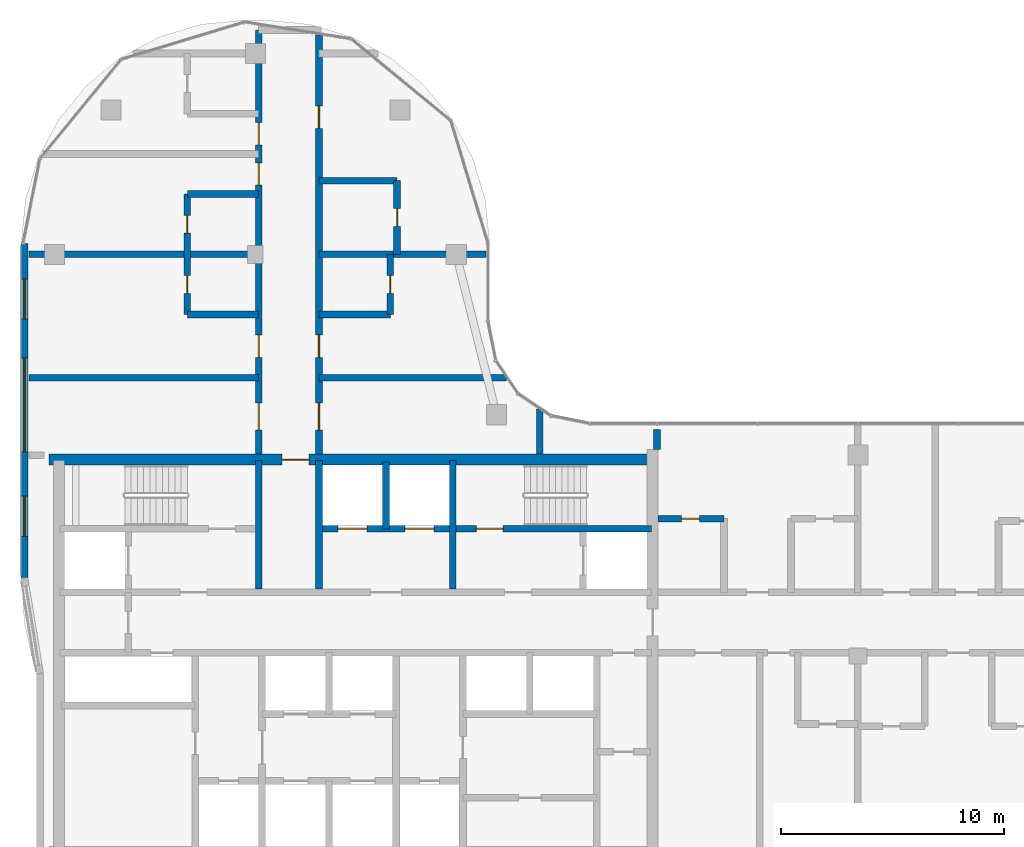
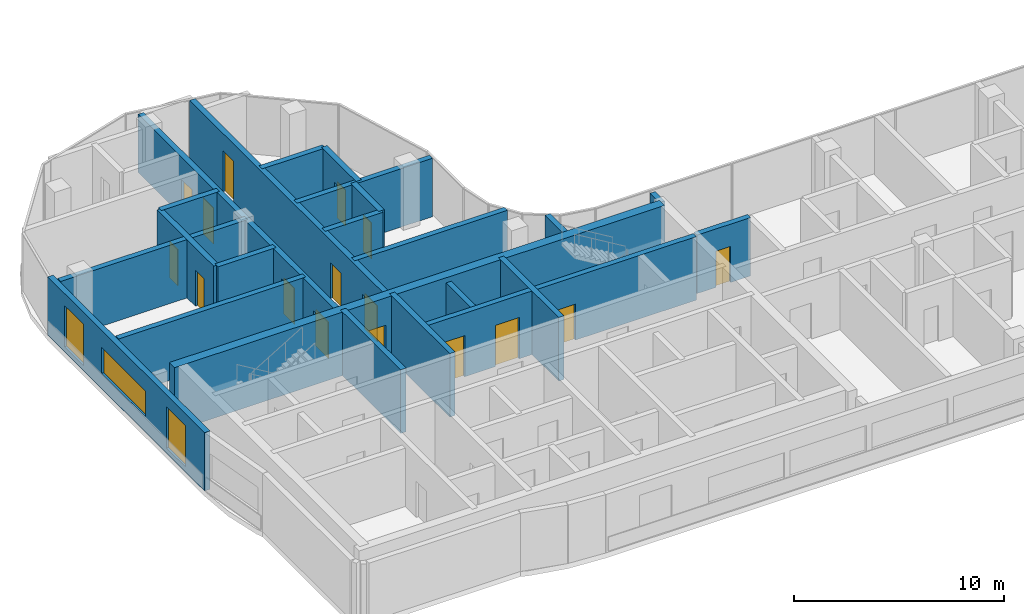
# One storey, part 10 of 19: 23 walls, 16 doors, 3 windows, 19 openings.
"""IFC4 building model written with IfcOpenShell, lengths in metres."""

from ifc_helpers import new_model, si_unit, direction, frame, frame_2d, origin, place, context, subcontext, project, spatial, rectangle, extrude, material, layer, layer_set, type_object, element, fill, save


model = new_model("IFC4")

# Units and contexts
model_context = context("Model", 3, precision=1e-05, world=origin(), true_north=direction((0.0, 1.0)))
body_context = subcontext(model_context, "Body", "Model", "MODEL_VIEW")
ifc_project = project(units=[si_unit("LENGTHUNIT", "METRE"), si_unit("AREAUNIT", "SQUARE_METRE"), si_unit("VOLUMEUNIT", "CUBIC_METRE"), si_unit("PLANEANGLEUNIT", "RADIAN"), si_unit("MASSUNIT", "GRAM", prefix="KILO")], contexts=[model_context])

# Site, building, storey
site_placement = place(None, origin())
site = spatial("IfcSite", under=ifc_project, at=site_placement, CompositionType="ELEMENT")
building_placement = place(site_placement, origin())
building = spatial("IfcBuilding", under=site, at=building_placement, Name="Ogive Portal Towers", CompositionType="ELEMENT")
storey_placement = place(building_placement, frame((0.0, 0.0, 229.10009765625)))
storey = spatial("IfcBuildingStorey", under=building, at=storey_placement, Name="L57", CompositionType="ELEMENT", Elevation=229.10009765625)

# Wall, openings, doors
ifc_material_1 = material(Name="Concrete C60/75", Category="concrete")
ifc_layer_1 = layer(ifc_material_1, 0.300048828125)
ifc_layer_set_1 = layer_set([ifc_layer_1], Name="CORE WALL 300 C60")
wall_type_1 = type_object("IfcWallType", Name="CORE WALL 300 C60", PredefinedType="SHEAR", material=ifc_layer_set_1)
wall_1_placement = place(storey_placement, frame((43.5, 36.199951171875, 0.0), z_axis=(0.0, 0.0, 1.0), x_axis=(1.0, 0.0, 0.0)))
wall_1 = element("IfcWall", 1, at=wall_1_placement, inside=storey, type_object=wall_type_1, Name="Core wall Y3b L57", PredefinedType="SHEAR", context=body_context, shape_type="SweptSolid", body=[
    extrude(rectangle(XDim=14.75, YDim=0.300048828125, at=frame_2d((7.375, 0.0))), origin(), (0.0, 0.0, 1.0), 3.699951171875),
])
opening_1_placement = place(wall_1_placement, frame((6.89990234375, 0.0, 0.0)))
opening_1 = element("IfcOpeningElement", 2, at=opening_1_placement, cuts=wall_1, Name="Opening D25-006", PredefinedType="OPENING", context=body_context, shape_type="SweptSolid", body=[
    extrude(rectangle(XDim=1.199951171875, YDim=2.10009765625, at=frame_2d((0.60009765625, 1.050048828125))), frame((0.0, 0.16015625, 0.0), z_axis=(0.0, -1.0, 0.0), x_axis=(1.0, 0.0, 0.0)), (0.0, 0.0, 1.0), 0.320068359375),
])
opening_2_placement = place(wall_1_placement, frame((0.699951171875, 0.0, 0.0)))
opening_2 = element("IfcOpeningElement", 3, at=opening_2_placement, cuts=wall_1, Name="Opening D25-017", PredefinedType="OPENING", context=body_context, shape_type="SweptSolid", body=[
    extrude(rectangle(XDim=1.300048828125, YDim=2.39990234375, at=frame_2d((0.64990234375, 1.199951171875))), frame((0.0, 0.16015625, 0.0), z_axis=(0.0, -1.0, 0.0), x_axis=(1.0, 0.0, 0.0)), (0.0, 0.0, 1.0), 0.320068359375),
])
opening_3_placement = place(wall_1_placement, frame((3.699951171875, 0.0, 0.0)))
opening_3 = element("IfcOpeningElement", 4, at=opening_3_placement, cuts=wall_1, Name="Opening D25-018", PredefinedType="OPENING", context=body_context, shape_type="SweptSolid", body=[
    extrude(rectangle(XDim=1.300048828125, YDim=2.39990234375, at=frame_2d((0.64990234375, 1.199951171875))), frame((0.0, 0.16015625, 0.0), z_axis=(0.0, -1.0, 0.0), x_axis=(1.0, 0.0, 0.0)), (0.0, 0.0, 1.0), 0.320068359375),
])
ifc_material_2 = material(Name="Stainless steel", Category="steel")
door_type_1 = type_object("IfcDoorType", Name="DT-LD-1300x2400", OperationType="SLIDING_TO_LEFT", PredefinedType="DOOR", material=ifc_material_2)
door_1_placement = place(opening_2_placement, origin())
door_1 = element("IfcDoor", 5, at=door_1_placement, inside=storey, type_object=door_type_1, Name="Door D25-017", OperationType="SLIDING_TO_LEFT", OverallHeight=2.39990234375, OverallWidth=1.300048828125, PredefinedType="DOOR", context=body_context, shape_type="SweptSolid", body=[
    extrude(rectangle(XDim=1.300048828125, YDim=2.39990234375, at=frame_2d((0.64990234375, 1.199951171875))), frame((0.0, 0.02490234375, 0.0), z_axis=(0.0, -1.0, 0.0), x_axis=(1.0, 0.0, 0.0)), (0.0, 0.0, 1.0), 0.050048828125),
])
fill(opening_2, door_1)
door_2_placement = place(opening_3_placement, origin())
door_2 = element("IfcDoor", 6, at=door_2_placement, inside=storey, type_object=door_type_1, Name="Door D25-018", OperationType="SLIDING_TO_LEFT", OverallHeight=2.39990234375, OverallWidth=1.300048828125, PredefinedType="DOOR", context=body_context, shape_type="SweptSolid", body=[
    extrude(rectangle(XDim=1.300048828125, YDim=2.39990234375, at=frame_2d((0.64990234375, 1.199951171875))), frame((0.0, 0.02490234375, 0.0), z_axis=(0.0, -1.0, 0.0), x_axis=(1.0, 0.0, 0.0)), (0.0, 0.0, 1.0), 0.050048828125),
])
fill(opening_3, door_2)
ifc_material_3 = material(Name="Steel fire door", Category="steel")
door_type_2 = type_object("IfcDoorType", Name="DT-SWING-1200x2100-FD90S", OperationType="SINGLE_SWING_LEFT", PredefinedType="DOOR", material=ifc_material_3)
door_3_placement = place(opening_1_placement, origin())
door_3 = element("IfcDoor", 7, at=door_3_placement, inside=storey, type_object=door_type_2, Name="Door D25-006", OperationType="SINGLE_SWING_LEFT", OverallHeight=2.10009765625, OverallWidth=1.199951171875, PredefinedType="DOOR", context=body_context, shape_type="SweptSolid", body=[
    extrude(rectangle(XDim=1.199951171875, YDim=2.10009765625, at=frame_2d((0.60009765625, 1.050048828125))), frame((0.0, 0.02490234375, 0.0), z_axis=(0.0, -1.0, 0.0), x_axis=(1.0, 0.0, 0.0)), (0.0, 0.0, 1.0), 0.050048828125),
])
fill(opening_1, door_3)

# Walls
for number, where, z_axis, x_axis, name in (
    (8, (40.64990234375, 33.5, 0.0), (0.0, 0.0, 1.0), (0.0, 1.0, 0.0), "Core wall X6 L57"),
    (9, (43.35009765625, 33.5, 0.0), (0.0, 0.0, 1.0), (0.0, 1.0, 0.0), "Core wall X7 L57"),
    (10, (49.35009765625, 33.5, 0.0), (0.0, 0.0, 1.0), (0.0, 1.0, 0.0), "Core wall X9 L57"),
):
    element("IfcWall", number, at=place(storey_placement, frame(where, z_axis=z_axis, x_axis=x_axis)), inside=storey, type_object=wall_type_1, Name=name, PredefinedType="SHEAR", context=body_context, shape_type="SweptSolid", body=[
        extrude(rectangle(XDim=5.75, YDim=0.300048828125, at=frame_2d((2.875, 0.0))), origin(), (0.0, 0.0, 1.0), 3.699951171875),
    ])

# Wall, opening, door
ifc_layer_2 = layer(ifc_material_1, 0.5)
ifc_layer_set_2 = layer_set([ifc_layer_2], Name="CORE WALL 500 C60")
wall_type_2 = type_object("IfcWallType", Name="CORE WALL 500 C60", PredefinedType="SHEAR", material=ifc_layer_set_2)
wall_2_placement = place(storey_placement, frame((31.25, 39.300048828125, 0.0), z_axis=(0.0, 0.0, 1.0), x_axis=(1.0, 0.0, 0.0)))
wall_2 = element("IfcWall", 11, at=wall_2_placement, inside=storey, type_object=wall_type_2, Name="Core wall N L57", PredefinedType="SHEAR", context=body_context, shape_type="SweptSolid", body=[
    extrude(rectangle(XDim=27.0, YDim=0.5, at=frame_2d((13.5, 0.0))), origin(), (0.0, 0.0, 1.0), 3.699951171875),
])
opening_4_placement = place(wall_2_placement, frame((10.449951171875, 0.0, 0.0)))
opening_4 = element("IfcOpeningElement", 12, at=opening_4_placement, cuts=wall_2, Name="Opening D25-012", PredefinedType="OPENING", context=body_context, shape_type="SweptSolid", body=[
    extrude(rectangle(XDim=1.199951171875, YDim=2.10009765625, at=frame_2d((0.60009765625, 1.050048828125))), frame((0.0, 0.260009765625, 0.0), z_axis=(0.0, -1.0, 0.0), x_axis=(1.0, 0.0, 0.0)), (0.0, 0.0, 1.0), 0.52001953125),
])
door_4_placement = place(opening_4_placement, origin())
door_4 = element("IfcDoor", 13, at=door_4_placement, inside=storey, type_object=door_type_2, Name="Door D25-012", OperationType="SINGLE_SWING_RIGHT", OverallHeight=2.10009765625, OverallWidth=1.199951171875, PredefinedType="DOOR", context=body_context, shape_type="SweptSolid", body=[
    extrude(rectangle(XDim=1.199951171875, YDim=2.10009765625, at=frame_2d((0.60009765625, 1.050048828125))), frame((0.0, 0.02490234375, 0.0), z_axis=(0.0, -1.0, 0.0), x_axis=(1.0, 0.0, 0.0)), (0.0, 0.0, 1.0), 0.050048828125),
])
fill(opening_4, door_4)

# Wall, openings, windows
ifc_material_4 = material(Name="Limestone cladding on lightweight block wall", Category="masonry")
ifc_layer_3 = layer(ifc_material_4, 0.300048828125)
ifc_layer_set_3 = layer_set([ifc_layer_3], Name="EXTERNAL WALL 300 STONE")
wall_type_3 = type_object("IfcWallType", Name="EXTERNAL WALL 300 STONE", PredefinedType="SOLIDWALL", material=ifc_layer_set_3)
wall_3_placement = place(storey_placement, frame((30.14990234375, 48.9921875, 0.0), z_axis=(0.0, 0.0, 1.0), x_axis=(0.0, -1.0, 0.0)))
wall_3 = element("IfcWall", 14, at=wall_3_placement, inside=storey, type_object=wall_type_3, Name="A:L57:f24:r0:wall", PredefinedType="SOLIDWALL", context=body_context, shape_type="SweptSolid", body=[
    extrude(rectangle(XDim=14.968017578125, YDim=0.300048828125, at=frame_2d((7.48388671875, 0.0))), origin(), (0.0, 0.0, 1.0), 3.39990234375),
])
opening_5_placement = place(wall_3_placement, frame((1.595947265625, 0.0, 0.300048828125)))
opening_5 = element("IfcOpeningElement", 15, at=opening_5_placement, cuts=wall_3, Name="Opening WN10", PredefinedType="OPENING", context=body_context, shape_type="SweptSolid", body=[
    extrude(rectangle(XDim=1.800048828125, YDim=2.39990234375, at=frame_2d((0.89990234375, 1.199951171875))), frame((0.0, 0.16015625, 0.0), z_axis=(0.0, -1.0, 0.0), x_axis=(1.0, 0.0, 0.0)), (0.0, 0.0, 1.0), 0.320068359375),
])
opening_6_placement = place(wall_3_placement, frame((5.14208984375, 0.0, 0.89990234375)))
opening_6 = element("IfcOpeningElement", 16, at=opening_6_placement, cuts=wall_3, Name="Opening WN11", PredefinedType="OPENING", context=body_context, shape_type="SweptSolid", body=[
    extrude(rectangle(XDim=4.199951171875, YDim=1.5, at=frame_2d((2.10009765625, 0.75))), frame((0.0, 0.16015625, 0.0), z_axis=(0.0, -1.0, 0.0), x_axis=(1.0, 0.0, 0.0)), (0.0, 0.0, 1.0), 0.320068359375),
])
opening_7_placement = place(wall_3_placement, frame((11.330078125, 0.0, 0.300048828125)))
opening_7 = element("IfcOpeningElement", 17, at=opening_7_placement, cuts=wall_3, Name="Opening WN10", PredefinedType="OPENING", context=body_context, shape_type="SweptSolid", body=[
    extrude(rectangle(XDim=1.800048828125, YDim=2.39990234375, at=frame_2d((0.89990234375, 1.199951171875))), frame((0.0, 0.16015625, 0.0), z_axis=(0.0, -1.0, 0.0), x_axis=(1.0, 0.0, 0.0)), (0.0, 0.0, 1.0), 0.320068359375),
])
ifc_material_5 = material(Name="Glass, clear low-iron insulated glazing", Category="glass")
window_type_1 = type_object("IfcWindowType", Name="WINDOW RIBBON 4200x1500", PartitioningType="TRIPLE_PANEL_VERTICAL", PredefinedType="WINDOW", material=ifc_material_5)
window_1_placement = place(opening_6_placement, origin())
window_1 = element("IfcWindow", 18, at=window_1_placement, inside=storey, type_object=window_type_1, Name="A:L57:f24:r0:w1", OverallHeight=1.5, OverallWidth=4.199951171875, PartitioningType="SINGLE_PANEL", PredefinedType="WINDOW", context=body_context, shape_type="SweptSolid", body=[
    extrude(rectangle(XDim=4.199951171875, YDim=1.5, at=frame_2d((2.10009765625, 0.75))), frame((0.0, 0.030029296875, 0.0), z_axis=(0.0, -1.0, 0.0), x_axis=(1.0, 0.0, 0.0)), (0.0, 0.0, 1.0), 0.06005859375),
])
fill(opening_6, window_1)
window_type_2 = type_object("IfcWindowType", Name="WINDOW SUITE CORNER 1800x2400", PartitioningType="DOUBLE_PANEL_VERTICAL", PredefinedType="WINDOW", material=ifc_material_5)
window_2_placement = place(opening_5_placement, origin())
window_2 = element("IfcWindow", 19, at=window_2_placement, inside=storey, type_object=window_type_2, Name="A:L57:f24:r0:w0", OverallHeight=2.39990234375, OverallWidth=1.800048828125, PartitioningType="SINGLE_PANEL", PredefinedType="WINDOW", context=body_context, shape_type="SweptSolid", body=[
    extrude(rectangle(XDim=1.800048828125, YDim=2.39990234375, at=frame_2d((0.89990234375, 1.199951171875))), frame((0.0, 0.030029296875, 0.0), z_axis=(0.0, -1.0, 0.0), x_axis=(1.0, 0.0, 0.0)), (0.0, 0.0, 1.0), 0.06005859375),
])
fill(opening_5, window_2)
window_3_placement = place(opening_7_placement, origin())
window_3 = element("IfcWindow", 20, at=window_3_placement, inside=storey, type_object=window_type_2, Name="A:L57:f24:r0:w2", OverallHeight=2.39990234375, OverallWidth=1.800048828125, PartitioningType="SINGLE_PANEL", PredefinedType="WINDOW", context=body_context, shape_type="SweptSolid", body=[
    extrude(rectangle(XDim=1.800048828125, YDim=2.39990234375, at=frame_2d((0.89990234375, 1.199951171875))), frame((0.0, 0.030029296875, 0.0), z_axis=(0.0, -1.0, 0.0), x_axis=(1.0, 0.0, 0.0)), (0.0, 0.0, 1.0), 0.06005859375),
])
fill(opening_7, window_3)

# Wall, opening, door
ifc_material_6 = material(Name="Gypsum board partition on steel studs", Category="steel")
ifc_layer_4 = layer(ifc_material_6, 0.300048828125)
ifc_layer_set_4 = layer_set([ifc_layer_4], Name="WT-PART-300-EI 60")
wall_type_4 = type_object("IfcWallType", Name="WT-PART-300-EI 60", PredefinedType="PARTITIONING", material=ifc_layer_set_4)
wall_4_placement = place(storey_placement, frame((58.550048828125, 36.64990234375, 0.0), z_axis=(0.0, 0.0, 1.0), x_axis=(1.0, 0.0, 0.0)))
wall_4 = element("IfcWall", 21, at=wall_4_placement, inside=storey, type_object=wall_type_4, Name="Wall L57:w011", PredefinedType="PARTITIONING", context=body_context, shape_type="SweptSolid", body=[
    extrude(rectangle(XDim=2.949951171875, YDim=0.300048828125, at=frame_2d((1.47509765625, 0.0))), origin(), (0.0, 0.0, 1.0), 3.39990234375),
])
opening_8_placement = place(wall_4_placement, frame((1.050048828125, 0.0, 0.0)))
opening_8 = element("IfcOpeningElement", 22, at=opening_8_placement, cuts=wall_4, Name="Opening D25-026", PredefinedType="OPENING", context=body_context, shape_type="SweptSolid", body=[
    extrude(rectangle(XDim=0.800048828125, YDim=2.10009765625, at=frame_2d((0.39990234375, 1.050048828125))), frame((0.0, 0.16015625, 0.0), z_axis=(0.0, -1.0, 0.0), x_axis=(1.0, 0.0, 0.0)), (0.0, 0.0, 1.0), 0.320068359375),
])
door_type_3 = type_object("IfcDoorType", Name="DT-BATH-800x2100-FD60S", OperationType="SINGLE_SWING_LEFT", PredefinedType="DOOR", material=ifc_material_3)
door_5_placement = place(opening_8_placement, origin())
door_5 = element("IfcDoor", 23, at=door_5_placement, inside=storey, type_object=door_type_3, Name="Door D25-026", OperationType="SINGLE_SWING_LEFT", OverallHeight=2.10009765625, OverallWidth=0.800048828125, PredefinedType="DOOR", context=body_context, shape_type="SweptSolid", body=[
    extrude(rectangle(XDim=0.800048828125, YDim=2.10009765625, at=frame_2d((0.39990234375, 1.050048828125))), frame((0.0, 0.02490234375, 0.0), z_axis=(0.0, -1.0, 0.0), x_axis=(1.0, 0.0, 0.0)), (0.0, 0.0, 1.0), 0.050048828125),
])
fill(opening_8, door_5)

# Walls
wall_5_placement = place(storey_placement, frame((30.35009765625, 42.969970703125, 0.0), z_axis=(0.0, 0.0, 1.0), x_axis=(1.0, 0.0, 0.0)))
element("IfcWall", 24, at=wall_5_placement, inside=storey, type_object=wall_type_4, Name="Wall L57:w015", PredefinedType="PARTITIONING", context=body_context, shape_type="SweptSolid", body=[
    extrude(rectangle(XDim=10.2998046875, YDim=0.300048828125, at=frame_2d((5.14990234375, 0.0))), origin(), (0.0, 0.0, 1.0), 3.39990234375),
])
wall_6_placement = place(storey_placement, frame((43.35009765625, 42.969970703125, 0.0), z_axis=(0.0, 0.0, 1.0), x_axis=(1.0, 0.0, 0.0)))
element("IfcWall", 25, at=wall_6_placement, inside=storey, type_object=wall_type_4, Name="Wall L57:w016", PredefinedType="PARTITIONING", context=body_context, shape_type="SweptSolid", body=[
    extrude(rectangle(XDim=8.40185546875, YDim=0.300048828125, at=frame_2d((4.200927734375, 0.0))), origin(), (0.0, 0.0, 1.0), 3.39990234375),
])
for number, where, z_axis, x_axis, name in (
    (26, (37.449951171875, 45.800048828125, 0.0), (0.0, 0.0, 1.0), (1.0, 0.0, 0.0), "Wall L57:w017"),
    (27, (43.35009765625, 45.800048828125, 0.0), (0.0, 0.0, 1.0), (1.0, 0.0, 0.0), "Wall L57:w018"),
):
    element("IfcWall", number, at=place(storey_placement, frame(where, z_axis=z_axis, x_axis=x_axis)), inside=storey, type_object=wall_type_4, Name=name, PredefinedType="PARTITIONING", context=body_context, shape_type="SweptSolid", body=[
        extrude(rectangle(XDim=3.199951171875, YDim=0.300048828125, at=frame_2d((1.60009765625, 0.0))), origin(), (0.0, 0.0, 1.0), 3.39990234375),
    ])
wall_7_placement = place(storey_placement, frame((30.35009765625, 48.5, 0.0), z_axis=(0.0, 0.0, 1.0), x_axis=(1.0, 0.0, 0.0)))
element("IfcWall", 28, at=wall_7_placement, inside=storey, type_object=wall_type_4, Name="Wall L57:w019", PredefinedType="PARTITIONING", context=body_context, shape_type="SweptSolid", body=[
    extrude(rectangle(XDim=10.2998046875, YDim=0.300048828125, at=frame_2d((5.14990234375, 0.0))), origin(), (0.0, 0.0, 1.0), 3.39990234375),
])
wall_8_placement = place(storey_placement, frame((43.35009765625, 48.5, 0.0), z_axis=(0.0, 0.0, 1.0), x_axis=(1.0, 0.0, 0.0)))
element("IfcWall", 29, at=wall_8_placement, inside=storey, type_object=wall_type_4, Name="Wall L57:w020", PredefinedType="PARTITIONING", context=body_context, shape_type="SweptSolid", body=[
    extrude(rectangle(XDim=7.47998046875, YDim=0.300048828125, at=frame_2d((3.739990234375, 0.0))), origin(), (0.0, 0.0, 1.0), 3.39990234375),
])
wall_9_placement = place(storey_placement, frame((37.449951171875, 51.199951171875, 0.0), z_axis=(0.0, 0.0, 1.0), x_axis=(1.0, 0.0, 0.0)))
element("IfcWall", 30, at=wall_9_placement, inside=storey, type_object=wall_type_4, Name="Wall L57:w021", PredefinedType="PARTITIONING", context=body_context, shape_type="SweptSolid", body=[
    extrude(rectangle(XDim=3.199951171875, YDim=0.300048828125, at=frame_2d((1.60009765625, 0.0))), origin(), (0.0, 0.0, 1.0), 3.39990234375),
])
wall_10_placement = place(storey_placement, frame((43.35009765625, 51.800048828125, 0.0), z_axis=(0.0, 0.0, 1.0), x_axis=(1.0, 0.0, 0.0)))
element("IfcWall", 31, at=wall_10_placement, inside=storey, type_object=wall_type_4, Name="Wall L57:w022", PredefinedType="PARTITIONING", context=body_context, shape_type="SweptSolid", body=[
    extrude(rectangle(XDim=3.5, YDim=0.300048828125, at=frame_2d((1.75, 0.0))), origin(), (0.0, 0.0, 1.0), 3.39990234375),
])

# Wall, openings, doors
wall_11_placement = place(storey_placement, frame((37.449951171875, 45.800048828125, 0.0), z_axis=(0.0, 0.0, 1.0), x_axis=(0.0, 1.0, 0.0)))
wall_11 = element("IfcWall", 32, at=wall_11_placement, inside=storey, type_object=wall_type_4, Name="Wall L57:w028", PredefinedType="PARTITIONING", context=body_context, shape_type="SweptSolid", body=[
    extrude(rectangle(XDim=5.39990234375, YDim=0.300048828125, at=frame_2d((2.699951171875, 0.0))), origin(), (0.0, 0.0, 1.0), 3.39990234375),
])
opening_9_placement = place(wall_11_placement, frame((0.949951171875, 0.0, 0.0)))
opening_9 = element("IfcOpeningElement", 33, at=opening_9_placement, cuts=wall_11, Name="Opening D25-047", PredefinedType="OPENING", context=body_context, shape_type="SweptSolid", body=[
    extrude(rectangle(XDim=0.800048828125, YDim=2.10009765625, at=frame_2d((0.39990234375, 1.050048828125))), frame((0.0, 0.16015625, 0.0), z_axis=(0.0, -1.0, 0.0), x_axis=(1.0, 0.0, 0.0)), (0.0, 0.0, 1.0), 0.320068359375),
])
opening_10_placement = place(wall_11_placement, frame((3.64990234375, 0.0, 0.0)))
opening_10 = element("IfcOpeningElement", 34, at=opening_10_placement, cuts=wall_11, Name="Opening D25-051", PredefinedType="OPENING", context=body_context, shape_type="SweptSolid", body=[
    extrude(rectangle(XDim=0.800048828125, YDim=2.10009765625, at=frame_2d((0.39990234375, 1.050048828125))), frame((0.0, 0.16015625, 0.0), z_axis=(0.0, -1.0, 0.0), x_axis=(1.0, 0.0, 0.0)), (0.0, 0.0, 1.0), 0.320068359375),
])
door_6_placement = place(opening_9_placement, origin())
door_6 = element("IfcDoor", 35, at=door_6_placement, inside=storey, type_object=door_type_3, Name="Door D25-047", OperationType="SINGLE_SWING_LEFT", OverallHeight=2.10009765625, OverallWidth=0.800048828125, PredefinedType="DOOR", context=body_context, shape_type="SweptSolid", body=[
    extrude(rectangle(XDim=0.800048828125, YDim=2.10009765625, at=frame_2d((0.39990234375, 1.050048828125))), frame((0.0, 0.02490234375, 0.0), z_axis=(0.0, -1.0, 0.0), x_axis=(1.0, 0.0, 0.0)), (0.0, 0.0, 1.0), 0.050048828125),
])
fill(opening_9, door_6)
door_7_placement = place(opening_10_placement, origin())
door_7 = element("IfcDoor", 36, at=door_7_placement, inside=storey, type_object=door_type_3, Name="Door D25-051", OperationType="SINGLE_SWING_RIGHT", OverallHeight=2.10009765625, OverallWidth=0.800048828125, PredefinedType="DOOR", context=body_context, shape_type="SweptSolid", body=[
    extrude(rectangle(XDim=0.800048828125, YDim=2.10009765625, at=frame_2d((0.39990234375, 1.050048828125))), frame((0.0, 0.02490234375, 0.0), z_axis=(0.0, -1.0, 0.0), x_axis=(1.0, 0.0, 0.0)), (0.0, 0.0, 1.0), 0.050048828125),
])
fill(opening_10, door_7)

wall_12_placement = place(storey_placement, frame((40.64990234375, 39.550048828125, 0.0), z_axis=(0.0, 0.0, 1.0), x_axis=(0.0, 1.0, 0.0)))
wall_12 = element("IfcWall", 37, at=wall_12_placement, inside=storey, type_object=wall_type_4, Name="Wall L57:w030", PredefinedType="PARTITIONING", context=body_context, shape_type="SweptSolid", body=[
    extrude(rectangle(XDim=19.0, YDim=0.300048828125, at=frame_2d((9.5, 0.0))), origin(), (0.0, 0.0, 1.0), 3.39990234375),
])
opening_11_placement = place(wall_12_placement, frame((1.0849609375, 0.0, 0.0)))
opening_11 = element("IfcOpeningElement", 38, at=opening_11_placement, cuts=wall_12, Name="Opening D25-046", PredefinedType="OPENING", context=body_context, shape_type="SweptSolid", body=[
    extrude(rectangle(XDim=1.199951171875, YDim=2.10009765625, at=frame_2d((0.60009765625, 1.050048828125))), frame((0.0, 0.16015625, 0.0), z_axis=(0.0, -1.0, 0.0), x_axis=(1.0, 0.0, 0.0)), (0.0, 0.0, 1.0), 0.320068359375),
])
opening_12_placement = place(wall_12_placement, frame((4.3349609375, 0.0, 0.0)))
opening_12 = element("IfcOpeningElement", 39, at=opening_12_placement, cuts=wall_12, Name="Opening D25-048", PredefinedType="OPENING", context=body_context, shape_type="SweptSolid", body=[
    extrude(rectangle(XDim=1.0, YDim=2.10009765625, at=frame_2d((0.5, 1.050048828125))), frame((0.0, 0.16015625, 0.0), z_axis=(0.0, -1.0, 0.0), x_axis=(1.0, 0.0, 0.0)), (0.0, 0.0, 1.0), 0.320068359375),
])
opening_13_placement = place(wall_12_placement, frame((12.050048828125, 0.0, 0.0)))
opening_13 = element("IfcOpeningElement", 40, at=opening_13_placement, cuts=wall_12, Name="Opening D25-052", PredefinedType="OPENING", context=body_context, shape_type="SweptSolid", body=[
    extrude(rectangle(XDim=1.0, YDim=2.10009765625, at=frame_2d((0.5, 1.050048828125))), frame((0.0, 0.16015625, 0.0), z_axis=(0.0, -1.0, 0.0), x_axis=(1.0, 0.0, 0.0)), (0.0, 0.0, 1.0), 0.320068359375),
])
opening_14_placement = place(wall_12_placement, frame((13.85009765625, 0.0, 0.0)))
opening_14 = element("IfcOpeningElement", 41, at=opening_14_placement, cuts=wall_12, Name="Opening D25-054", PredefinedType="OPENING", context=body_context, shape_type="SweptSolid", body=[
    extrude(rectangle(XDim=1.0, YDim=2.10009765625, at=frame_2d((0.5, 1.050048828125))), frame((0.0, 0.16015625, 0.0), z_axis=(0.0, -1.0, 0.0), x_axis=(1.0, 0.0, 0.0)), (0.0, 0.0, 1.0), 0.320068359375),
])
door_type_4 = type_object("IfcDoorType", Name="DT-ENTRY-1000x2100-FD60S", OperationType="SINGLE_SWING_LEFT", PredefinedType="DOOR", material=ifc_material_3)
door_8_placement = place(opening_12_placement, origin())
door_8 = element("IfcDoor", 42, at=door_8_placement, inside=storey, type_object=door_type_4, Name="Door D25-048", OperationType="SINGLE_SWING_LEFT", OverallHeight=2.10009765625, OverallWidth=1.0, PredefinedType="DOOR", context=body_context, shape_type="SweptSolid", body=[
    extrude(rectangle(XDim=1.0, YDim=2.10009765625, at=frame_2d((0.5, 1.050048828125))), frame((0.0, 0.02490234375, 0.0), z_axis=(0.0, -1.0, 0.0), x_axis=(1.0, 0.0, 0.0)), (0.0, 0.0, 1.0), 0.050048828125),
])
fill(opening_12, door_8)
door_9_placement = place(opening_13_placement, origin())
door_9 = element("IfcDoor", 43, at=door_9_placement, inside=storey, type_object=door_type_4, Name="Door D25-052", OperationType="SINGLE_SWING_LEFT", OverallHeight=2.10009765625, OverallWidth=1.0, PredefinedType="DOOR", context=body_context, shape_type="SweptSolid", body=[
    extrude(rectangle(XDim=1.0, YDim=2.10009765625, at=frame_2d((0.5, 1.050048828125))), frame((0.0, 0.02490234375, 0.0), z_axis=(0.0, -1.0, 0.0), x_axis=(1.0, 0.0, 0.0)), (0.0, 0.0, 1.0), 0.050048828125),
])
fill(opening_13, door_9)
door_10_placement = place(opening_14_placement, origin())
door_10 = element("IfcDoor", 44, at=door_10_placement, inside=storey, type_object=door_type_4, Name="Door D25-054", OperationType="SINGLE_SWING_LEFT", OverallHeight=2.10009765625, OverallWidth=1.0, PredefinedType="DOOR", context=body_context, shape_type="SweptSolid", body=[
    extrude(rectangle(XDim=1.0, YDim=2.10009765625, at=frame_2d((0.5, 1.050048828125))), frame((0.0, 0.02490234375, 0.0), z_axis=(0.0, -1.0, 0.0), x_axis=(1.0, 0.0, 0.0)), (0.0, 0.0, 1.0), 0.050048828125),
])
fill(opening_14, door_10)
door_type_5 = type_object("IfcDoorType", Name="DT-ENTRY-1200x2100-FD60S", OperationType="SINGLE_SWING_LEFT", PredefinedType="DOOR", material=ifc_material_3)
door_11_placement = place(opening_11_placement, origin())
door_11 = element("IfcDoor", 45, at=door_11_placement, inside=storey, type_object=door_type_5, Name="Door D25-046", OperationType="SINGLE_SWING_RIGHT", OverallHeight=2.10009765625, OverallWidth=1.199951171875, PredefinedType="DOOR", context=body_context, shape_type="SweptSolid", body=[
    extrude(rectangle(XDim=1.199951171875, YDim=2.10009765625, at=frame_2d((0.60009765625, 1.050048828125))), frame((0.0, 0.02490234375, 0.0), z_axis=(0.0, -1.0, 0.0), x_axis=(1.0, 0.0, 0.0)), (0.0, 0.0, 1.0), 0.050048828125),
])
fill(opening_11, door_11)

wall_13_placement = place(storey_placement, frame((43.35009765625, 39.550048828125, 0.0), z_axis=(0.0, 0.0, 1.0), x_axis=(0.0, 1.0, 0.0)))
wall_13 = element("IfcWall", 46, at=wall_13_placement, inside=storey, type_object=wall_type_4, Name="Wall L57:w031", PredefinedType="PARTITIONING", context=body_context, shape_type="SweptSolid", body=[
    extrude(rectangle(XDim=18.77099609375, YDim=0.300048828125, at=frame_2d((9.385498046875, 0.0))), origin(), (0.0, 0.0, 1.0), 3.39990234375),
])
opening_15_placement = place(wall_13_placement, frame((1.0849609375, 0.0, 0.0)))
opening_15 = element("IfcOpeningElement", 47, at=opening_15_placement, cuts=wall_13, Name="Opening D25-043", PredefinedType="OPENING", context=body_context, shape_type="SweptSolid", body=[
    extrude(rectangle(XDim=1.199951171875, YDim=2.10009765625, at=frame_2d((0.60009765625, 1.050048828125))), frame((0.0, 0.16015625, 0.0), z_axis=(0.0, -1.0, 0.0), x_axis=(1.0, 0.0, 0.0)), (0.0, 0.0, 1.0), 0.320068359375),
])
opening_16_placement = place(wall_13_placement, frame((4.3349609375, 0.0, 0.0)))
opening_16 = element("IfcOpeningElement", 48, at=opening_16_placement, cuts=wall_13, Name="Opening D25-045", PredefinedType="OPENING", context=body_context, shape_type="SweptSolid", body=[
    extrude(rectangle(XDim=1.0, YDim=2.10009765625, at=frame_2d((0.5, 1.050048828125))), frame((0.0, 0.16015625, 0.0), z_axis=(0.0, -1.0, 0.0), x_axis=(1.0, 0.0, 0.0)), (0.0, 0.0, 1.0), 0.320068359375),
])
opening_17_placement = place(wall_13_placement, frame((14.60009765625, 0.0, 0.0)))
opening_17 = element("IfcOpeningElement", 49, at=opening_17_placement, cuts=wall_13, Name="Opening D25-050", PredefinedType="OPENING", context=body_context, shape_type="SweptSolid", body=[
    extrude(rectangle(XDim=1.0, YDim=2.39990234375, at=frame_2d((0.5, 1.199951171875))), frame((0.0, 0.16015625, 0.0), z_axis=(0.0, -1.0, 0.0), x_axis=(1.0, 0.0, 0.0)), (0.0, 0.0, 1.0), 0.320068359375),
])
door_12_placement = place(opening_16_placement, origin())
door_12 = element("IfcDoor", 50, at=door_12_placement, inside=storey, type_object=door_type_4, Name="Door D25-045", OperationType="SINGLE_SWING_LEFT", OverallHeight=2.10009765625, OverallWidth=1.0, PredefinedType="DOOR", context=body_context, shape_type="SweptSolid", body=[
    extrude(rectangle(XDim=1.0, YDim=2.10009765625, at=frame_2d((0.5, 1.050048828125))), frame((0.0, 0.02490234375, 0.0), z_axis=(0.0, -1.0, 0.0), x_axis=(1.0, 0.0, 0.0)), (0.0, 0.0, 1.0), 0.050048828125),
])
fill(opening_16, door_12)
door_type_6 = type_object("IfcDoorType", Name="DT-ENTRY-1000x2400-FD60S", OperationType="SINGLE_SWING_LEFT", PredefinedType="DOOR", material=ifc_material_3)
door_13_placement = place(opening_17_placement, origin())
door_13 = element("IfcDoor", 51, at=door_13_placement, inside=storey, type_object=door_type_6, Name="Door D25-050", OperationType="SINGLE_SWING_RIGHT", OverallHeight=2.39990234375, OverallWidth=1.0, PredefinedType="DOOR", context=body_context, shape_type="SweptSolid", body=[
    extrude(rectangle(XDim=1.0, YDim=2.39990234375, at=frame_2d((0.5, 1.199951171875))), frame((0.0, 0.02490234375, 0.0), z_axis=(0.0, -1.0, 0.0), x_axis=(1.0, 0.0, 0.0)), (0.0, 0.0, 1.0), 0.050048828125),
])
fill(opening_17, door_13)
door_14_placement = place(opening_15_placement, origin())
door_14 = element("IfcDoor", 52, at=door_14_placement, inside=storey, type_object=door_type_5, Name="Door D25-043", OperationType="SINGLE_SWING_RIGHT", OverallHeight=2.10009765625, OverallWidth=1.199951171875, PredefinedType="DOOR", context=body_context, shape_type="SweptSolid", body=[
    extrude(rectangle(XDim=1.199951171875, YDim=2.10009765625, at=frame_2d((0.60009765625, 1.050048828125))), frame((0.0, 0.02490234375, 0.0), z_axis=(0.0, -1.0, 0.0), x_axis=(1.0, 0.0, 0.0)), (0.0, 0.0, 1.0), 0.050048828125),
])
fill(opening_15, door_14)

# Wall, opening, door
wall_14_placement = place(storey_placement, frame((46.550048828125, 45.800048828125, 0.0), z_axis=(0.0, 0.0, 1.0), x_axis=(0.0, 1.0, 0.0)))
wall_14 = element("IfcWall", 53, at=wall_14_placement, inside=storey, type_object=wall_type_4, Name="Wall L57:w032", PredefinedType="PARTITIONING", context=body_context, shape_type="SweptSolid", body=[
    extrude(rectangle(XDim=2.699951171875, YDim=0.300048828125, at=frame_2d((1.35009765625, 0.0))), origin(), (0.0, 0.0, 1.0), 3.39990234375),
])
opening_18_placement = place(wall_14_placement, frame((0.949951171875, 0.0, 0.0)))
opening_18 = element("IfcOpeningElement", 54, at=opening_18_placement, cuts=wall_14, Name="Opening D25-044", PredefinedType="OPENING", context=body_context, shape_type="SweptSolid", body=[
    extrude(rectangle(XDim=0.800048828125, YDim=2.10009765625, at=frame_2d((0.39990234375, 1.050048828125))), frame((0.0, 0.16015625, 0.0), z_axis=(0.0, -1.0, 0.0), x_axis=(1.0, 0.0, 0.0)), (0.0, 0.0, 1.0), 0.320068359375),
])
door_15_placement = place(opening_18_placement, origin())
door_15 = element("IfcDoor", 55, at=door_15_placement, inside=storey, type_object=door_type_3, Name="Door D25-044", OperationType="SINGLE_SWING_LEFT", OverallHeight=2.10009765625, OverallWidth=0.800048828125, PredefinedType="DOOR", context=body_context, shape_type="SweptSolid", body=[
    extrude(rectangle(XDim=0.800048828125, YDim=2.10009765625, at=frame_2d((0.39990234375, 1.050048828125))), frame((0.0, 0.02490234375, 0.0), z_axis=(0.0, -1.0, 0.0), x_axis=(1.0, 0.0, 0.0)), (0.0, 0.0, 1.0), 0.050048828125),
])
fill(opening_18, door_15)

wall_15_placement = place(storey_placement, frame((46.85009765625, 48.5, 0.0), z_axis=(0.0, 0.0, 1.0), x_axis=(0.0, 1.0, 0.0)))
wall_15 = element("IfcWall", 56, at=wall_15_placement, inside=storey, type_object=wall_type_4, Name="Wall L57:w033", PredefinedType="PARTITIONING", context=body_context, shape_type="SweptSolid", body=[
    extrude(rectangle(XDim=3.300048828125, YDim=0.300048828125, at=frame_2d((1.64990234375, 0.0))), origin(), (0.0, 0.0, 1.0), 3.39990234375),
])
opening_19_placement = place(wall_15_placement, frame((1.25, 0.0, 0.0)))
opening_19 = element("IfcOpeningElement", 57, at=opening_19_placement, cuts=wall_15, Name="Opening D25-049", PredefinedType="OPENING", context=body_context, shape_type="SweptSolid", body=[
    extrude(rectangle(XDim=0.800048828125, YDim=2.10009765625, at=frame_2d((0.39990234375, 1.050048828125))), frame((0.0, 0.16015625, 0.0), z_axis=(0.0, -1.0, 0.0), x_axis=(1.0, 0.0, 0.0)), (0.0, 0.0, 1.0), 0.320068359375),
])
door_16_placement = place(opening_19_placement, origin())
door_16 = element("IfcDoor", 58, at=door_16_placement, inside=storey, type_object=door_type_3, Name="Door D25-049", OperationType="SINGLE_SWING_LEFT", OverallHeight=2.10009765625, OverallWidth=0.800048828125, PredefinedType="DOOR", context=body_context, shape_type="SweptSolid", body=[
    extrude(rectangle(XDim=0.800048828125, YDim=2.10009765625, at=frame_2d((0.39990234375, 1.050048828125))), frame((0.0, 0.02490234375, 0.0), z_axis=(0.0, -1.0, 0.0), x_axis=(1.0, 0.0, 0.0)), (0.0, 0.0, 1.0), 0.050048828125),
])
fill(opening_19, door_16)

# Walls
wall_16_placement = place(storey_placement, frame((53.25, 39.550048828125, 0.0), z_axis=(0.0, 0.0, 1.0), x_axis=(0.0, 1.0, 0.0)))
element("IfcWall", 59, at=wall_16_placement, inside=storey, type_object=wall_type_4, Name="Wall L57:w034", PredefinedType="PARTITIONING", context=body_context, shape_type="SweptSolid", body=[
    extrude(rectangle(XDim=2.014892578125, YDim=0.300048828125, at=frame_2d((1.00732421875, 0.0))), origin(), (0.0, 0.0, 1.0), 3.39990234375),
])
wall_17_placement = place(storey_placement, frame((58.5, 39.75, 0.0), z_axis=(0.0, 0.0, 1.0), x_axis=(0.0, 1.0, 0.0)))
element("IfcWall", 60, at=wall_17_placement, inside=storey, type_object=wall_type_4, Name="Wall L57:w036", PredefinedType="PARTITIONING", context=body_context, shape_type="SweptSolid", body=[
    extrude(rectangle(XDim=0.89990234375, YDim=0.300048828125, at=frame_2d((0.449951171875, 0.0))), origin(), (0.0, 0.0, 1.0), 3.39990234375),
])
ifc_material_7 = material(Name="Concrete C40/50", Category="concrete")
ifc_layer_5 = layer(ifc_material_7, 0.300048828125)
ifc_layer_set_5 = layer_set([ifc_layer_5], Name="WT-SHAFT-300")
wall_type_5 = type_object("IfcWallType", Name="WT-SHAFT-300", PredefinedType="SOLIDWALL", material=ifc_layer_set_5)
wall_18_placement = place(storey_placement, frame((46.35009765625, 36.199951171875, 0.0), z_axis=(0.0, 0.0, 1.0), x_axis=(0.0, 1.0, 0.0)))
element("IfcWall", 61, at=wall_18_placement, inside=storey, type_object=wall_type_5, Name="Wall pw:010:L57", PredefinedType="SOLIDWALL", context=body_context, shape_type="SweptSolid", body=[
    extrude(rectangle(XDim=3.0, YDim=0.300048828125, at=frame_2d((1.5, 0.0))), origin(), (0.0, 0.0, 1.0), 3.39990234375),
])

save(model, "model.ifc")
